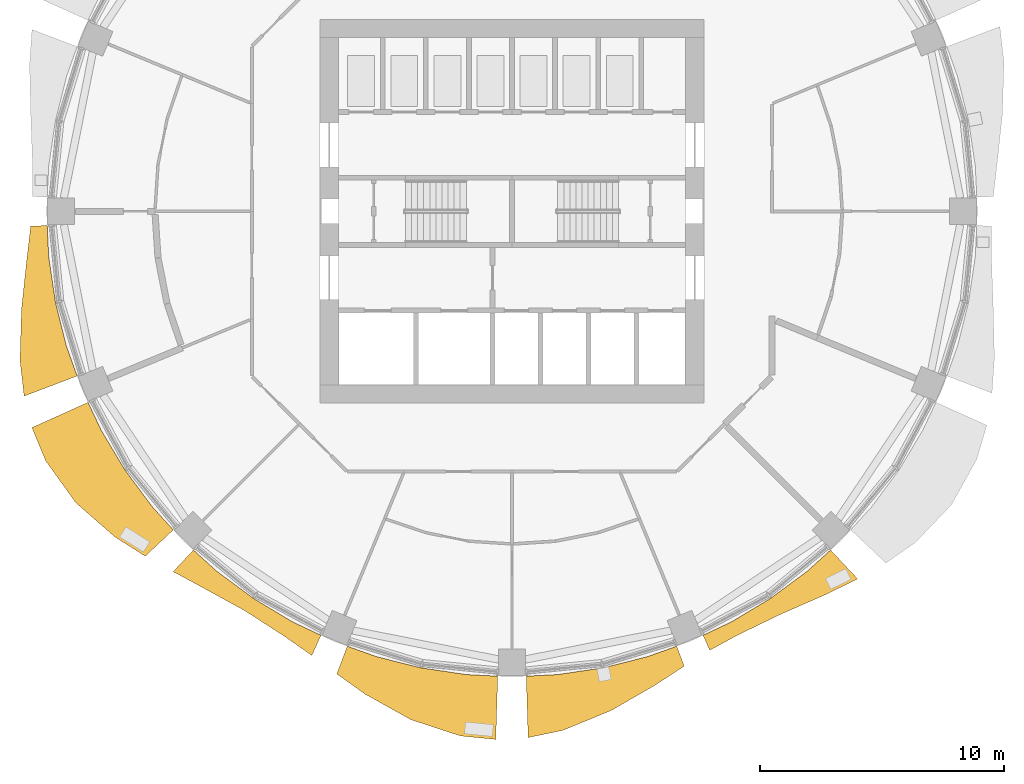
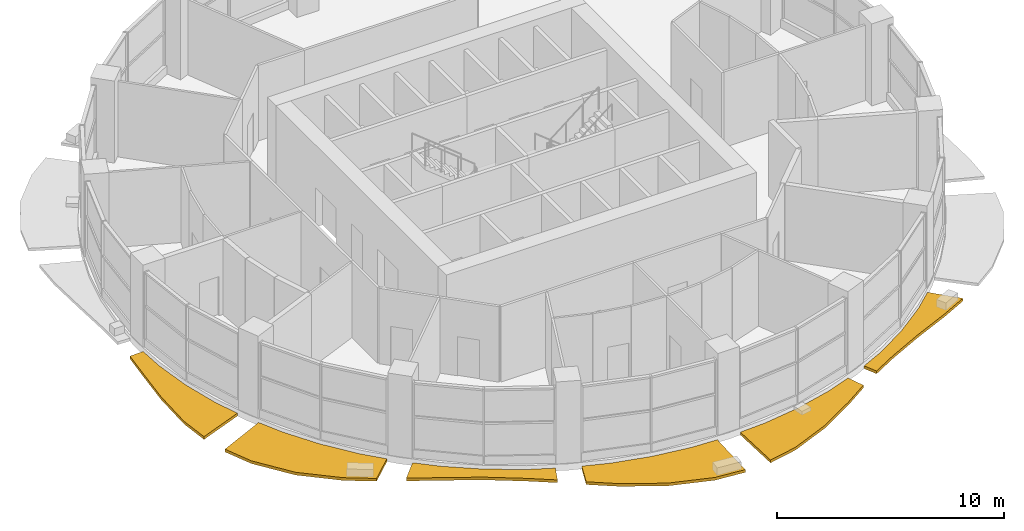
# One storey, part 10 of 13: 6 shading devices.
"""IFC4 building model written with IfcOpenShell, lengths in metres."""

import ifcopenshell
import ifcopenshell.guid

model = None  # the IFC model being written
_history = None  # IfcOwnerHistory: only IFC2X3 demands one
_inside = {}  # id of a spatial element -> (the spatial element, [elements in it])
_under = {}  # id of a project, library or spatial element -> (it, [spatial elements below it])
_declared = {}  # id of a project -> (the project, [libraries it declares])
_typed = {}  # id of a type object -> (the type object, [elements of that type])
_made_of = {}  # id of a material, layer set ... -> (it, [elements and type objects made of it])


def new_model(schema):
    """Start an empty IFC model of exactly this schema.

    Asked for "IFC4X3", IfcOpenShell would pick the latest addendum, in which some entities
    have other attributes; the version numbers below select the first issue.
    IFC2X3 requires an IfcOwnerHistory on every rooted entity: one is made here for all.
    """
    global model, _history
    if schema == "IFC4X3":
        model = ifcopenshell.file(schema_version=(4, 3, 0, 0))
    else:
        model = ifcopenshell.file(schema=schema)
    _inside.clear()
    _under.clear()
    _declared.clear()
    _typed.clear()
    _made_of.clear()
    _history = None
    if model.schema == "IFC2X3":
        org = make("IfcOrganization", Name="unknown")
        user = make(
            "IfcPersonAndOrganization",
            ThePerson=make("IfcPerson", FamilyName="unknown"),
            TheOrganization=org,
        )
        app = make(
            "IfcApplication",
            ApplicationDeveloper=org,
            Version="unknown",
            ApplicationFullName="unknown",
            ApplicationIdentifier="unknown",
        )
        _history = make(
            "IfcOwnerHistory",
            OwningUser=user,
            OwningApplication=app,
            ChangeAction="ADDED",
            CreationDate=0,
        )
    return model


def make(cls, **values):
    """One entity of the class cls with the attributes given. An attribute that is None is left unset."""
    return model.create_entity(
        cls, **{name: value for name, value in values.items() if value is not None}
    )


def rooted(cls, **values):
    """An entity with a GlobalId (a new one), such as an element, a storey or a relation."""
    return make(cls, GlobalId=ifcopenshell.guid.new(), OwnerHistory=_history, **values)


def si_unit(unit_type, name, prefix=None):
    """IfcSIUnit, for example si_unit("LENGTHUNIT", "METRE", prefix="MILLI")."""
    return make("IfcSIUnit", UnitType=unit_type, Prefix=prefix, Name=name)


def assignment(units):
    """IfcUnitAssignment: the units of a project."""
    return None if units is None else make("IfcUnitAssignment", Units=units)


def point(xyz):
    """IfcCartesianPoint."""
    return None if xyz is None else make("IfcCartesianPoint", Coordinates=xyz)


def direction(xyz):
    """IfcDirection."""
    return None if xyz is None else make("IfcDirection", DirectionRatios=xyz)


def frame(location, z_axis=None, x_axis=None):
    """IfcAxis2Placement3D, a coordinate frame: its origin and axes. An axis left out is left unset."""
    return make(
        "IfcAxis2Placement3D",
        Location=point(location),
        Axis=direction(z_axis),
        RefDirection=direction(x_axis),
    )


def origin():
    """The frame at (0, 0, 0) with its axes left unset."""
    return frame((0.0, 0.0, 0.0))


def place(relative_to, where):
    """IfcLocalPlacement: puts the frame where relative to a parent placement (None: the world)."""
    return make(
        "IfcLocalPlacement", PlacementRelTo=relative_to, RelativePlacement=where
    )


def context(
    kind, dimensions, precision=None, world=None, true_north=None, identifier=None
):
    """IfcGeometricRepresentationContext, for example the 3D "Model" context."""
    return make(
        "IfcGeometricRepresentationContext",
        ContextIdentifier=identifier,
        ContextType=kind,
        CoordinateSpaceDimension=dimensions,
        Precision=precision,
        WorldCoordinateSystem=world,
        TrueNorth=true_north,
    )


def subcontext(parent, identifier, kind, view, scale=None):
    """IfcGeometricRepresentationSubContext, for example "Body" below "Model"."""
    return make(
        "IfcGeometricRepresentationSubContext",
        ContextIdentifier=identifier,
        ContextType=kind,
        ParentContext=parent,
        TargetScale=scale,
        TargetView=view,
    )


def project(units=None, contexts=None):
    """IfcProject with its units and contexts."""
    return rooted(
        "IfcProject",
        Name="project",
        RepresentationContexts=contexts,
        UnitsInContext=assignment(units),
    )


def spatial(cls, under=None, at=None, **own):
    """A site, building, storey or space (cls), placed at a placement, below another one or the project."""
    s = rooted(cls, ObjectPlacement=at, **own)
    if under is not None:
        _under.setdefault(under.id(), (under, []))[1].append(s)
    return s


def polyline(points):
    """IfcPolyline through the points."""
    return make("IfcPolyline", Points=[point(p) for p in points])


def outline(outer, holes=None, kind="AREA"):
    """IfcArbitraryClosedProfileDef: a profile drawn as a closed curve; with holes, ...WithVoids."""
    if holes is None:
        return make("IfcArbitraryClosedProfileDef", ProfileType=kind, OuterCurve=outer)
    return make(
        "IfcArbitraryProfileDefWithVoids",
        ProfileType=kind,
        OuterCurve=outer,
        InnerCurves=holes,
    )


def extrude(swept, where, along, depth):
    """IfcExtrudedAreaSolid: the profile swept, set in the frame where, extruded along a direction by depth."""
    return make(
        "IfcExtrudedAreaSolid",
        SweptArea=swept,
        Position=where,
        ExtrudedDirection=direction(along),
        Depth=depth,
    )


def shape(context_of_items, identifier, shape_type, items):
    """IfcShapeRepresentation: the items that make up one representation, for example the "Body"."""
    return make(
        "IfcShapeRepresentation",
        ContextOfItems=context_of_items,
        RepresentationIdentifier=identifier,
        RepresentationType=shape_type,
        Items=items,
    )


def material(Name=None, Category=None):
    """IfcMaterial."""
    return make("IfcMaterial", Name=Name, Category=Category)


def made_of(thing, what):
    """Note that an element or type object is made of a material, layer set ...; save() writes the relation."""
    if what is not None:
        _made_of.setdefault(what.id(), (what, []))[1].append(thing)
    return thing


def type_object(cls, material=None, **own):
    """A type object (cls), such as IfcWallType, which elements share."""
    return made_of(rooted(cls, **own), material)


def element(
    cls,
    number,
    at=None,
    inside=None,
    cuts=None,
    type_object=None,
    material=None,
    context=None,
    identifier="Body",
    shape_type=None,
    held_by="IfcProductDefinitionShape",
    body=None,
    shapes=None,
    **own,
):
    """One element of the class cls, such as IfcWall. Its Tag is "e" and its number.

    at: its placement. inside: the storey or other place that contains it. cuts: it is an
    opening in that element (IfcRelVoidsElement). A single representation is given by context,
    identifier, shape_type and body (its items); several are given by shapes. held_by: the class
    of the entity that holds the representations. save() writes the other relations.
    """
    e = rooted(cls, Tag="e%d" % number, ObjectPlacement=at, **own)
    if body is not None:
        shapes = [shape(context, identifier, shape_type, body)]
    if shapes is not None:
        e.Representation = make(held_by, Representations=shapes)
    if inside is not None:
        _inside.setdefault(inside.id(), (inside, []))[1].append(e)
    if cuts is not None:
        rooted(
            "IfcRelVoidsElement", RelatingBuildingElement=cuts, RelatedOpeningElement=e
        )
    if type_object is not None:
        _typed.setdefault(type_object.id(), (type_object, []))[1].append(e)
    return made_of(e, material)


def aggregate(whole, parts):
    """IfcRelAggregates: a whole, such as a stair, and the parts it consists of."""
    return rooted("IfcRelAggregates", RelatingObject=whole, RelatedObjects=parts)


def save(model, path):
    """Write the relations noted so far, then the file.

    IfcRelAggregates (storeys below a building ...), IfcRelContainedInSpatialStructure (elements
    in a storey), IfcRelDefinesByType, IfcRelAssociatesMaterial and IfcRelDeclares: one each for
    every whole, place, type object, material and project.
    """
    for whole, parts in _under.values():
        aggregate(whole, parts)
    for where, things in _inside.values():
        rooted(
            "IfcRelContainedInSpatialStructure",
            RelatedElements=things,
            RelatingStructure=where,
        )
    for kind, things in _typed.values():
        rooted("IfcRelDefinesByType", RelatedObjects=things, RelatingType=kind)
    for what, things in _made_of.values():
        rooted("IfcRelAssociatesMaterial", RelatedObjects=things, RelatingMaterial=what)
    for by, libraries in _declared.values():
        rooted("IfcRelDeclares", RelatingContext=by, RelatedDefinitions=libraries)
    model.write(path)


model = new_model("IFC4")

# Units and contexts
model_context = context("Model", 3, precision=1e-05, world=origin(), true_north=direction((0.0, 1.0)))
body_context = subcontext(model_context, "Body", "Model", "MODEL_VIEW")
ifc_project = project(units=[si_unit("LENGTHUNIT", "METRE"), si_unit("AREAUNIT", "SQUARE_METRE"), si_unit("VOLUMEUNIT", "CUBIC_METRE"), si_unit("PLANEANGLEUNIT", "RADIAN"), si_unit("MASSUNIT", "GRAM", prefix="KILO")], contexts=[model_context])

# Site, building, storey
site_placement = place(None, origin())
site = spatial("IfcSite", under=ifc_project, at=site_placement, CompositionType="ELEMENT")
building_placement = place(site_placement, origin())
building = spatial("IfcBuilding", under=site, at=building_placement, Name="Polderwave Tower", CompositionType="ELEMENT")
storey_placement = place(building_placement, frame((0.0, 0.0, 116.550048828125)))
storey = spatial("IfcBuildingStorey", under=building, at=storey_placement, Name="L30", CompositionType="ELEMENT", Elevation=116.550048828125)

# Shading devices
ifc_material = material(Name="Terracotta", Category="masonry")
shading_device_type = type_object("IfcShadingDeviceType", Name="Terracotta sunshade band", PredefinedType="USERDEFINED", material=ifc_material)
shading_device_1_placement = place(storey_placement, frame((0.0, 0.0, -0.35009765625)))
element("IfcShadingDevice", 1, at=shading_device_1_placement, inside=storey, type_object=shading_device_type, Name="Sunshade band L30 9", ObjectType="SUNSHADE", PredefinedType="USERDEFINED", context=body_context, shape_type="SweptSolid", body=[
    extrude(outline(polyline([(-19.0712890625, -0.58447265625), (-19.008056640625, -1.8720703125), (-18.73291015625, -3.726318359375), (-18.277587890625, -5.54443359375), (-17.84326171875, -6.75830078125), (-20.017822265625, -7.58203125), (-20.18701171875, -6.12353515625), (-20.1240234375, -4.0029296875), (-19.90625, -1.960693359375), (-19.74755859375, -0.60498046875), (-19.0712890625, -0.58447265625)])), origin(), (0.0, 0.0, 1.0), 0.150146484375),
])
shading_device_2_placement = place(storey_placement, frame((0.0, 0.0, -0.35009765625)))
element("IfcShadingDevice", 2, at=shading_device_2_placement, inside=storey, type_object=shading_device_type, Name="Sunshade band L30 10", ObjectType="SUNSHADE", PredefinedType="USERDEFINED", context=body_context, shape_type="SweptSolid", body=[
    extrude(outline(polyline([(-17.39599609375, -7.838134765625), (-16.8447265625, -9.003662109375), (-15.881103515625, -10.611328125), (-14.764404296875, -12.116943359375), (-13.898681640625, -13.072265625), (-15.045166015625, -14.150390625), (-16.287353515625, -13.36669921875), (-17.896484375, -11.9580078125), (-19.1376953125, -10.229248046875), (-19.697509765625, -8.875), (-17.39599609375, -7.838134765625)])), origin(), (0.0, 0.0, 1.0), 0.150146484375),
])
shading_device_3_placement = place(storey_placement, frame((0.0, 0.0, -0.35009765625)))
element("IfcShadingDevice", 3, at=shading_device_3_placement, inside=storey, type_object=shading_device_type, Name="Sunshade band L30 11", ObjectType="SUNSHADE", PredefinedType="USERDEFINED", context=body_context, shape_type="SweptSolid", body=[
    extrude(outline(polyline([(-13.072265625, -13.898681640625), (-12.116943359375, -14.764404296875), (-10.611328125, -15.881103515625), (-9.003662109375, -16.8447265625), (-7.838134765625, -17.39599609375), (-8.212646484375, -18.22705078125), (-9.324951171875, -17.445556640625), (-10.9541015625, -16.393798828125), (-12.67724609375, -15.447265625), (-13.905517578125, -14.78466796875), (-13.072265625, -13.898681640625)])), origin(), (0.0, 0.0, 1.0), 0.150146484375),
])
shading_device_4_placement = place(storey_placement, frame((0.0, 0.0, -0.35009765625)))
element("IfcShadingDevice", 4, at=shading_device_4_placement, inside=storey, type_object=shading_device_type, Name="Sunshade band L30 12", ObjectType="SUNSHADE", PredefinedType="USERDEFINED", context=body_context, shape_type="SweptSolid", body=[
    extrude(outline(polyline([(-6.75830078125, -17.84326171875), (-5.54443359375, -18.277587890625), (-3.726318359375, -18.73291015625), (-1.8720703125, -19.008056640625), (-0.58447265625, -19.0712890625), (-0.6640625, -21.669677734375), (-2.1201171875, -21.52490234375), (-4.14892578125, -20.858154296875), (-6.0126953125, -19.82177734375), (-7.18994140625, -18.982421875), (-6.75830078125, -17.84326171875)])), origin(), (0.0, 0.0, 1.0), 0.150146484375),
])
shading_device_5_placement = place(storey_placement, frame((0.0, 0.0, -0.35009765625)))
element("IfcShadingDevice", 5, at=shading_device_5_placement, inside=storey, type_object=shading_device_type, Name="Sunshade band L30 13", ObjectType="SUNSHADE", PredefinedType="USERDEFINED", context=body_context, shape_type="SweptSolid", body=[
    extrude(outline(polyline([(0.58447265625, -19.0712890625), (1.8720703125, -19.008056640625), (3.726318359375, -18.73291015625), (5.54443359375, -18.277587890625), (6.75830078125, -17.84326171875), (7.068115234375, -18.6611328125), (5.894287109375, -19.430419921875), (4.07373046875, -20.48046875), (2.097412109375, -21.29443359375), (0.66162109375, -21.593505859375), (0.58447265625, -19.0712890625)])), origin(), (0.0, 0.0, 1.0), 0.150146484375),
])
shading_device_6_placement = place(storey_placement, frame((0.0, 0.0, -0.35009765625)))
element("IfcShadingDevice", 6, at=shading_device_6_placement, inside=storey, type_object=shading_device_type, Name="Sunshade band L30 14", ObjectType="SUNSHADE", PredefinedType="USERDEFINED", context=body_context, shape_type="SweptSolid", body=[
    extrude(outline(polyline([(7.838134765625, -17.39599609375), (9.003662109375, -16.8447265625), (10.611328125, -15.881103515625), (12.116943359375, -14.764404296875), (13.072265625, -13.898681640625), (14.186279296875, -15.083251953125), (12.897216796875, -15.715087890625), (11.04248046875, -16.5263671875), (9.28662109375, -17.373779296875), (8.11572265625, -18.011962890625), (7.838134765625, -17.39599609375)])), origin(), (0.0, 0.0, 1.0), 0.150146484375),
])

save(model, "model.ifc")
